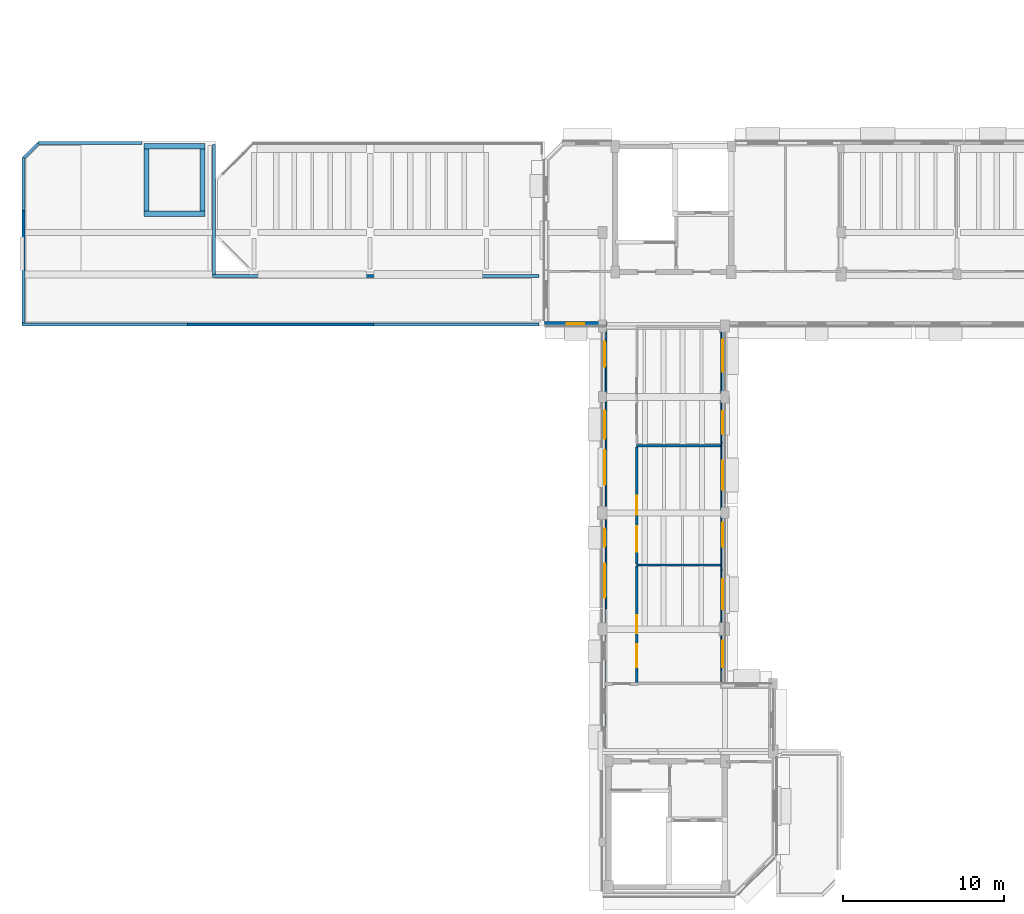
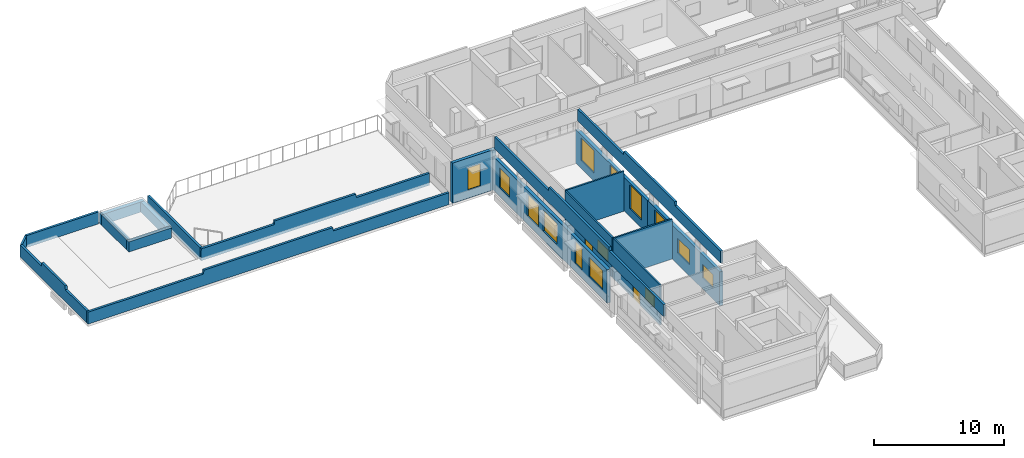
# One storey, part 7 of 17: 20 walls, 14 windows, 2 doors, 16 openings.
"""IFC4 building model written with IfcOpenShell, lengths in metres."""

from ifc_helpers import new_model, si_unit, direction, frame, frame_2d, origin, place, context, subcontext, project, spatial, polyline, rectangle, outline, extrude, material, layer, layer_set, type_object, element, fill, save


model = new_model("IFC4")

# Units and contexts
model_context = context("Model", 3, precision=1e-05, world=origin(), true_north=direction((0.0, 1.0)))
body_context = subcontext(model_context, "Body", "Model", "MODEL_VIEW")
ifc_project = project(units=[si_unit("LENGTHUNIT", "METRE"), si_unit("AREAUNIT", "SQUARE_METRE"), si_unit("VOLUMEUNIT", "CUBIC_METRE"), si_unit("PLANEANGLEUNIT", "RADIAN"), si_unit("MASSUNIT", "GRAM", prefix="KILO")], contexts=[model_context])

# Site, building, storey
site_placement = place(None, origin())
site = spatial("IfcSite", under=ifc_project, at=site_placement, CompositionType="ELEMENT")
building_placement = place(site_placement, origin())
building = spatial("IfcBuilding", under=site, at=building_placement, Name="Kelanivale Promenade Academy", CompositionType="ELEMENT")
storey_placement = place(building_placement, frame((0.0, 0.0, 20.199951171875)))
storey = spatial("IfcBuildingStorey", under=building, at=storey_placement, Name="L05", CompositionType="ELEMENT", Elevation=20.199951171875)

# Walls
ifc_material_1 = material(Name="Concrete C40/50", Category="concrete")
ifc_layer_1 = layer(ifc_material_1, 0.330078125)
ifc_layer_set_1 = layer_set([ifc_layer_1], Name="Concrete C40/50")
wall_type_1 = type_object("IfcWallType", Name="CW-S1 Wall 330mm", PredefinedType="SHEAR", material=ifc_layer_set_1)
for number, where, z_axis, x_axis, name in (
    (1, (50.7548828125, 75.360107421875, 0.0), (0.0, 0.0, 1.0), (1.0, 0.0, 0.0), "CORE-4 lift overrun shaft wall S"),
    (2, (50.7548828125, 79.550048828125, 0.0), (0.0, 0.0, 1.0), (1.0, 0.0, 0.0), "CORE-4 lift overrun shaft wall N"),
):
    element("IfcWall", number, at=place(storey_placement, frame(where, z_axis=z_axis, x_axis=x_axis)), inside=storey, type_object=wall_type_1, Name=name, PredefinedType="SHEAR", context=body_context, shape_type="SweptSolid", body=[
        extrude(rectangle(XDim=3.81005859375, YDim=0.330078125, at=frame_2d((1.905029296875, 0.0))), origin(), (0.0, 0.0, 1.0), 0.9599609375),
    ])
for number, where, z_axis, x_axis, name in (
    (3, (50.919921875, 75.52490234375, 0.0), (0.0, 0.0, 1.0), (0.0, 1.0, 0.0), "CORE-4 lift overrun shaft wall W"),
    (4, (54.39990234375, 75.52490234375, 0.0), (0.0, 0.0, 1.0), (0.0, 1.0, 0.0), "CORE-4 lift overrun shaft wall E"),
):
    element("IfcWall", number, at=place(storey_placement, frame(where, z_axis=z_axis, x_axis=x_axis)), inside=storey, type_object=wall_type_1, Name=name, PredefinedType="SHEAR", context=body_context, shape_type="SweptSolid", body=[
        extrude(rectangle(XDim=3.860107421875, YDim=0.330078125, at=frame_2d((1.93017578125, 0.0))), origin(), (0.0, 0.0, 1.0), 0.9599609375),
    ])

# Wall, openings, windows
ifc_material_2 = material(Name="Insulated ivory stucco masonry wall 280 mm", Category="masonry")
ifc_layer_2 = layer(ifc_material_2, 0.280029296875)
ifc_layer_set_2 = layer_set([ifc_layer_2], Name="Insulated ivory stucco masonry wall 280 mm")
wall_type_2 = type_object("IfcWallType", Name="EW-02 Wall 280mm", PredefinedType="SOLIDWALL", material=ifc_layer_set_2)
wall_1_placement = place(storey_placement, frame((86.659912109375, 46.199951171875, 0.0), z_axis=(0.0, 0.0, 1.0), x_axis=(0.0, 1.0, 0.0)))
wall_1 = element("IfcWall", 5, at=wall_1_placement, inside=storey, type_object=wall_type_2, Name="L05 exterior facade wall EW-L05-ORT-0559", PredefinedType="SOLIDWALL", context=body_context, shape_type="SweptSolid", body=[
    extrude(rectangle(XDim=11.10009765625, YDim=0.280029296875, at=frame_2d((5.550048828125, 0.0))), origin(), (0.0, 0.0, 1.0), 3.205078125),
])
opening_1_placement = place(wall_1_placement, frame((1.02490234375, 0.0, 1.050048828125)))
opening_1 = element("IfcOpeningElement", 6, at=opening_1_placement, cuts=wall_1, Name="Opening WT-35", PredefinedType="OPENING", context=body_context, shape_type="SweptSolid", body=[
    extrude(rectangle(XDim=1.64990234375, YDim=1.25, at=frame_2d((0.824951171875, 0.625))), frame((0.0, 0.14990234375, 0.0), z_axis=(0.0, -1.0, 0.0), x_axis=(1.0, 0.0, 0.0)), (0.0, 0.0, 1.0), 0.300048828125),
])
opening_2_placement = place(wall_1_placement, frame((4.625, 0.0, 1.050048828125)))
opening_2 = element("IfcOpeningElement", 7, at=opening_2_placement, cuts=wall_1, Name="Opening WT-36", PredefinedType="OPENING", context=body_context, shape_type="SweptSolid", body=[
    extrude(rectangle(XDim=1.85009765625, YDim=1.39990234375, at=frame_2d((0.925048828125, 0.699951171875))), frame((0.0, 0.14990234375, 0.0), z_axis=(0.0, -1.0, 0.0), x_axis=(1.0, 0.0, 0.0)), (0.0, 0.0, 1.0), 0.300048828125),
])
opening_3_placement = place(wall_1_placement, frame((8.5, 0.0, 0.75)))
opening_3 = element("IfcOpeningElement", 8, at=opening_3_placement, cuts=wall_1, Name="Opening WT-11", PredefinedType="OPENING", context=body_context, shape_type="SweptSolid", body=[
    extrude(rectangle(XDim=1.5, YDim=2.199951171875, at=frame_2d((0.75, 1.10009765625))), frame((0.0, 0.14990234375, 0.0), z_axis=(0.0, -1.0, 0.0), x_axis=(1.0, 0.0, 0.0)), (0.0, 0.0, 1.0), 0.300048828125),
])
ifc_material_3 = material(Name="Bronze anodised aluminium frame with low-E laminated glass", Category="aluminium")
window_type_1 = type_object("IfcWindowType", Name="WT-11 Window 1500x2200", PartitioningType="SINGLE_PANEL", PredefinedType="WINDOW", material=ifc_material_3)
window_1_placement = place(opening_3_placement, origin())
window_1 = element("IfcWindow", 9, at=window_1_placement, inside=storey, type_object=window_type_1, Name="Window WT-11", OverallHeight=2.199951171875, OverallWidth=1.5, PartitioningType="SINGLE_PANEL", PredefinedType="WINDOW", context=body_context, shape_type="SweptSolid", body=[
    extrude(rectangle(XDim=1.5, YDim=2.199951171875, at=frame_2d((0.75, 1.10009765625))), frame((0.0, 0.030029296875, 0.0), z_axis=(0.0, -1.0, 0.0), x_axis=(1.0, 0.0, 0.0)), (0.0, 0.0, 1.0), 0.06005859375),
])
fill(opening_3, window_1)
window_type_2 = type_object("IfcWindowType", Name="WT-35 Window 1650x1250", PartitioningType="SINGLE_PANEL", PredefinedType="WINDOW", material=ifc_material_3)
window_2_placement = place(opening_1_placement, origin())
window_2 = element("IfcWindow", 10, at=window_2_placement, inside=storey, type_object=window_type_2, Name="Window WT-35", OverallHeight=1.25, OverallWidth=1.64990234375, PartitioningType="SINGLE_PANEL", PredefinedType="WINDOW", context=body_context, shape_type="SweptSolid", body=[
    extrude(rectangle(XDim=1.64990234375, YDim=1.25, at=frame_2d((0.824951171875, 0.625))), frame((0.0, 0.030029296875, 0.0), z_axis=(0.0, -1.0, 0.0), x_axis=(1.0, 0.0, 0.0)), (0.0, 0.0, 1.0), 0.06005859375),
])
fill(opening_1, window_2)
window_type_3 = type_object("IfcWindowType", Name="WT-36 Window 1850x1400", PartitioningType="SINGLE_PANEL", PredefinedType="WINDOW", material=ifc_material_3)
window_3_placement = place(opening_2_placement, origin())
window_3 = element("IfcWindow", 11, at=window_3_placement, inside=storey, type_object=window_type_3, Name="Window WT-36", OverallHeight=1.39990234375, OverallWidth=1.85009765625, PartitioningType="SINGLE_PANEL", PredefinedType="WINDOW", context=body_context, shape_type="SweptSolid", body=[
    extrude(rectangle(XDim=1.85009765625, YDim=1.39990234375, at=frame_2d((0.925048828125, 0.699951171875))), frame((0.0, 0.030029296875, 0.0), z_axis=(0.0, -1.0, 0.0), x_axis=(1.0, 0.0, 0.0)), (0.0, 0.0, 1.0), 0.06005859375),
])
fill(opening_2, window_3)

wall_2_placement = place(storey_placement, frame((86.659912109375, 57.300048828125, 0.0), z_axis=(0.0, 0.0, 1.0), x_axis=(0.0, 1.0, 0.0)))
wall_2 = element("IfcWall", 12, at=wall_2_placement, inside=storey, type_object=wall_type_2, Name="L05 exterior facade wall EW-L05-ORT-0560", PredefinedType="SOLIDWALL", context=body_context, shape_type="SweptSolid", body=[
    extrude(rectangle(XDim=11.099853515625, YDim=0.280029296875, at=frame_2d((5.5498046875, 0.0))), origin(), (0.0, 0.0, 1.0), 3.155029296875),
])
opening_4_placement = place(wall_2_placement, frame((0.949951171875, 0.0, 0.75)))
opening_4 = element("IfcOpeningElement", 13, at=opening_4_placement, cuts=wall_2, Name="Opening WT-12", PredefinedType="OPENING", context=body_context, shape_type="SweptSolid", body=[
    extrude(rectangle(XDim=1.800048828125, YDim=2.25, at=frame_2d((0.89990234375, 1.125))), frame((0.0, 0.14990234375, 0.0), z_axis=(0.0, -1.0, 0.0), x_axis=(1.0, 0.0, 0.0)), (0.0, 0.0, 1.0), 0.300048828125),
])
opening_5_placement = place(wall_2_placement, frame((4.39990234375, 0.0, 0.64990234375)))
opening_5 = element("IfcOpeningElement", 14, at=opening_5_placement, cuts=wall_2, Name="Opening WT-13", PredefinedType="OPENING", context=body_context, shape_type="SweptSolid", body=[
    extrude(rectangle(XDim=1.39990234375, YDim=2.39990234375, at=frame_2d((0.699951171875, 1.199951171875))), frame((0.0, 0.14990234375, 0.0), z_axis=(0.0, -1.0, 0.0), x_axis=(1.0, 0.0, 0.0)), (0.0, 0.0, 1.0), 0.300048828125),
])
opening_6_placement = place(wall_2_placement, frame((8.25, 0.0, 0.75)))
opening_6 = element("IfcOpeningElement", 15, at=opening_6_placement, cuts=wall_2, Name="Opening WT-14", PredefinedType="OPENING", context=body_context, shape_type="SweptSolid", body=[
    extrude(rectangle(XDim=2.0, YDim=2.10009765625, at=frame_2d((1.0, 1.050048828125))), frame((0.0, 0.14990234375, 0.0), z_axis=(0.0, -1.0, 0.0), x_axis=(1.0, 0.0, 0.0)), (0.0, 0.0, 1.0), 0.300048828125),
])
window_type_4 = type_object("IfcWindowType", Name="WT-12 Window 1800x2250", PartitioningType="SINGLE_PANEL", PredefinedType="WINDOW", material=ifc_material_3)
window_4_placement = place(opening_4_placement, origin())
window_4 = element("IfcWindow", 16, at=window_4_placement, inside=storey, type_object=window_type_4, Name="Window WT-12", OverallHeight=2.25, OverallWidth=1.800048828125, PartitioningType="SINGLE_PANEL", PredefinedType="WINDOW", context=body_context, shape_type="SweptSolid", body=[
    extrude(rectangle(XDim=1.800048828125, YDim=2.25, at=frame_2d((0.89990234375, 1.125))), frame((0.0, 0.030029296875, 0.0), z_axis=(0.0, -1.0, 0.0), x_axis=(1.0, 0.0, 0.0)), (0.0, 0.0, 1.0), 0.06005859375),
])
fill(opening_4, window_4)
window_type_5 = type_object("IfcWindowType", Name="WT-13 Window 1400x2400", PartitioningType="SINGLE_PANEL", PredefinedType="WINDOW", material=ifc_material_3)
window_5_placement = place(opening_5_placement, origin())
window_5 = element("IfcWindow", 17, at=window_5_placement, inside=storey, type_object=window_type_5, Name="Window WT-13", OverallHeight=2.39990234375, OverallWidth=1.39990234375, PartitioningType="SINGLE_PANEL", PredefinedType="WINDOW", context=body_context, shape_type="SweptSolid", body=[
    extrude(rectangle(XDim=1.39990234375, YDim=2.39990234375, at=frame_2d((0.699951171875, 1.199951171875))), frame((0.0, 0.030029296875, 0.0), z_axis=(0.0, -1.0, 0.0), x_axis=(1.0, 0.0, 0.0)), (0.0, 0.0, 1.0), 0.06005859375),
])
fill(opening_5, window_5)
window_type_6 = type_object("IfcWindowType", Name="WT-14 Window 2000x2100", PartitioningType="SINGLE_PANEL", PredefinedType="WINDOW", material=ifc_material_3)
window_6_placement = place(opening_6_placement, origin())
window_6 = element("IfcWindow", 18, at=window_6_placement, inside=storey, type_object=window_type_6, Name="Window WT-14", OverallHeight=2.10009765625, OverallWidth=2.0, PartitioningType="SINGLE_PANEL", PredefinedType="WINDOW", context=body_context, shape_type="SweptSolid", body=[
    extrude(rectangle(XDim=2.0, YDim=2.10009765625, at=frame_2d((1.0, 1.050048828125))), frame((0.0, 0.030029296875, 0.0), z_axis=(0.0, -1.0, 0.0), x_axis=(1.0, 0.0, 0.0)), (0.0, 0.0, 1.0), 0.06005859375),
])
fill(opening_6, window_6)

# Wall, opening, window
wall_3_placement = place(storey_placement, frame((75.60009765625, 68.5400390625, 0.0), z_axis=(0.0, 0.0, 1.0), x_axis=(1.0, 0.0, 0.0)))
wall_3 = element("IfcWall", 19, at=wall_3_placement, inside=storey, type_object=wall_type_2, Name="L05 exterior facade wall EW-L05-ORT-0589", PredefinedType="SOLIDWALL", context=body_context, shape_type="SweptSolid", body=[
    extrude(rectangle(XDim=3.8798828125, YDim=0.280029296875, at=frame_2d((1.93994140625, 0.0))), origin(), (0.0, 0.0, 1.0), 3.780029296875),
])
opening_7_placement = place(wall_3_placement, frame((1.389892578125, 0.0, 0.75)))
opening_7 = element("IfcOpeningElement", 20, at=opening_7_placement, cuts=wall_3, Name="Opening WT-17", PredefinedType="OPENING", context=body_context, shape_type="SweptSolid", body=[
    extrude(rectangle(XDim=1.10009765625, YDim=2.10009765625, at=frame_2d((0.550048828125, 1.050048828125))), frame((0.0, 0.14990234375, 0.0), z_axis=(0.0, -1.0, 0.0), x_axis=(1.0, 0.0, 0.0)), (0.0, 0.0, 1.0), 0.300048828125),
])
window_type_7 = type_object("IfcWindowType", Name="WT-17 Window 1100x2100", PartitioningType="SINGLE_PANEL", PredefinedType="WINDOW", material=ifc_material_3)
window_7_placement = place(opening_7_placement, origin())
window_7 = element("IfcWindow", 21, at=window_7_placement, inside=storey, type_object=window_type_7, Name="Window WT-17", OverallHeight=2.10009765625, OverallWidth=1.10009765625, PartitioningType="SINGLE_PANEL", PredefinedType="WINDOW", context=body_context, shape_type="SweptSolid", body=[
    extrude(rectangle(XDim=1.10009765625, YDim=2.10009765625, at=frame_2d((0.550048828125, 1.050048828125))), frame((0.0, 0.030029296875, 0.0), z_axis=(0.0, -1.0, 0.0), x_axis=(1.0, 0.0, 0.0)), (0.0, 0.0, 1.0), 0.06005859375),
])
fill(opening_7, window_7)

# Wall, openings, windows
wall_4_placement = place(storey_placement, frame((79.340087890625, 68.39990234375, 0.0), z_axis=(0.0, 0.0, 1.0), x_axis=(0.0, -1.0, 0.0)))
wall_4 = element("IfcWall", 22, at=wall_4_placement, inside=storey, type_object=wall_type_2, Name="L05 exterior facade wall EW-L05-ORT-0590", PredefinedType="SOLIDWALL", context=body_context, shape_type="SweptSolid", body=[
    extrude(rectangle(XDim=17.559814453125, YDim=0.280029296875, at=frame_2d((8.77978515625, 0.0))), origin(), (0.0, 0.0, 1.0), 3.155029296875),
])
opening_8_placement = place(wall_4_placement, frame((0.98095703125, 0.0, 0.85009765625)))
opening_8 = element("IfcOpeningElement", 23, at=opening_8_placement, cuts=wall_4, Name="Opening WT-31", PredefinedType="OPENING", context=body_context, shape_type="SweptSolid", body=[
    extrude(rectangle(XDim=1.550048828125, YDim=1.85009765625, at=frame_2d((0.77490234375, 0.925048828125))), frame((0.0, 0.14990234375, 0.0), z_axis=(0.0, -1.0, 0.0), x_axis=(1.0, 0.0, 0.0)), (0.0, 0.0, 1.0), 0.300048828125),
])
opening_9_placement = place(wall_4_placement, frame((5.242919921875, 0.0, 0.75)))
opening_9 = element("IfcOpeningElement", 24, at=opening_9_placement, cuts=wall_4, Name="Opening WT-32", PredefinedType="OPENING", context=body_context, shape_type="SweptSolid", body=[
    extrude(rectangle(XDim=1.75, YDim=2.050048828125, at=frame_2d((0.875, 1.02490234375))), frame((0.0, 0.14990234375, 0.0), z_axis=(0.0, -1.0, 0.0), x_axis=(1.0, 0.0, 0.0)), (0.0, 0.0, 1.0), 0.300048828125),
])
opening_10_placement = place(wall_4_placement, frame((7.705078125, 0.0, 0.85009765625)))
opening_10 = element("IfcOpeningElement", 25, at=opening_10_placement, cuts=wall_4, Name="Opening WT-33", PredefinedType="OPENING", context=body_context, shape_type="SweptSolid", body=[
    extrude(rectangle(XDim=2.14990234375, YDim=1.949951171875, at=frame_2d((1.074951171875, 0.97509765625))), frame((0.0, 0.14990234375, 0.0), z_axis=(0.0, -1.0, 0.0), x_axis=(1.0, 0.0, 0.0)), (0.0, 0.0, 1.0), 0.300048828125),
])
opening_11_placement = place(wall_4_placement, frame((12.592041015625, 0.0, 0.75)))
opening_11 = element("IfcOpeningElement", 26, at=opening_11_placement, cuts=wall_4, Name="Opening WT-17", PredefinedType="OPENING", context=body_context, shape_type="SweptSolid", body=[
    extrude(rectangle(XDim=1.10009765625, YDim=2.10009765625, at=frame_2d((0.550048828125, 1.050048828125))), frame((0.0, 0.14990234375, 0.0), z_axis=(0.0, -1.0, 0.0), x_axis=(1.0, 0.0, 0.0)), (0.0, 0.0, 1.0), 0.300048828125),
])
opening_12_placement = place(wall_4_placement, frame((14.75390625, 0.0, 0.85009765625)))
opening_12 = element("IfcOpeningElement", 27, at=opening_12_placement, cuts=wall_4, Name="Opening WT-02", PredefinedType="OPENING", context=body_context, shape_type="SweptSolid", body=[
    extrude(rectangle(XDim=2.10009765625, YDim=1.800048828125, at=frame_2d((1.050048828125, 0.89990234375))), frame((0.0, 0.14990234375, 0.0), z_axis=(0.0, -1.0, 0.0), x_axis=(1.0, 0.0, 0.0)), (0.0, 0.0, 1.0), 0.300048828125),
])
window_type_8 = type_object("IfcWindowType", Name="WT-02 Window 2100x1800", PartitioningType="SINGLE_PANEL", PredefinedType="WINDOW", material=ifc_material_3)
window_8_placement = place(opening_12_placement, origin())
window_8 = element("IfcWindow", 28, at=window_8_placement, inside=storey, type_object=window_type_8, Name="Window WT-02", OverallHeight=1.800048828125, OverallWidth=2.10009765625, PartitioningType="SINGLE_PANEL", PredefinedType="WINDOW", context=body_context, shape_type="SweptSolid", body=[
    extrude(rectangle(XDim=2.10009765625, YDim=1.800048828125, at=frame_2d((1.050048828125, 0.89990234375))), frame((0.0, 0.030029296875, 0.0), z_axis=(0.0, -1.0, 0.0), x_axis=(1.0, 0.0, 0.0)), (0.0, 0.0, 1.0), 0.06005859375),
])
fill(opening_12, window_8)
window_9_placement = place(opening_11_placement, origin())
window_9 = element("IfcWindow", 29, at=window_9_placement, inside=storey, type_object=window_type_7, Name="Window WT-17", OverallHeight=2.10009765625, OverallWidth=1.10009765625, PartitioningType="SINGLE_PANEL", PredefinedType="WINDOW", context=body_context, shape_type="SweptSolid", body=[
    extrude(rectangle(XDim=1.10009765625, YDim=2.10009765625, at=frame_2d((0.550048828125, 1.050048828125))), frame((0.0, 0.030029296875, 0.0), z_axis=(0.0, -1.0, 0.0), x_axis=(1.0, 0.0, 0.0)), (0.0, 0.0, 1.0), 0.06005859375),
])
fill(opening_11, window_9)
window_type_9 = type_object("IfcWindowType", Name="WT-31 Window 1550x1850", PartitioningType="SINGLE_PANEL", PredefinedType="WINDOW", material=ifc_material_3)
window_10_placement = place(opening_8_placement, origin())
window_10 = element("IfcWindow", 30, at=window_10_placement, inside=storey, type_object=window_type_9, Name="Window WT-31", OverallHeight=1.85009765625, OverallWidth=1.550048828125, PartitioningType="SINGLE_PANEL", PredefinedType="WINDOW", context=body_context, shape_type="SweptSolid", body=[
    extrude(rectangle(XDim=1.550048828125, YDim=1.85009765625, at=frame_2d((0.77490234375, 0.925048828125))), frame((0.0, 0.030029296875, 0.0), z_axis=(0.0, -1.0, 0.0), x_axis=(1.0, 0.0, 0.0)), (0.0, 0.0, 1.0), 0.06005859375),
])
fill(opening_8, window_10)
window_type_10 = type_object("IfcWindowType", Name="WT-32 Window 1750x2050", PartitioningType="SINGLE_PANEL", PredefinedType="WINDOW", material=ifc_material_3)
window_11_placement = place(opening_9_placement, origin())
window_11 = element("IfcWindow", 31, at=window_11_placement, inside=storey, type_object=window_type_10, Name="Window WT-32", OverallHeight=2.050048828125, OverallWidth=1.75, PartitioningType="SINGLE_PANEL", PredefinedType="WINDOW", context=body_context, shape_type="SweptSolid", body=[
    extrude(rectangle(XDim=1.75, YDim=2.050048828125, at=frame_2d((0.875, 1.02490234375))), frame((0.0, 0.030029296875, 0.0), z_axis=(0.0, -1.0, 0.0), x_axis=(1.0, 0.0, 0.0)), (0.0, 0.0, 1.0), 0.06005859375),
])
fill(opening_9, window_11)
window_type_11 = type_object("IfcWindowType", Name="WT-33 Window 2150x1950", PartitioningType="SINGLE_PANEL", PredefinedType="WINDOW", material=ifc_material_3)
window_12_placement = place(opening_10_placement, origin())
window_12 = element("IfcWindow", 32, at=window_12_placement, inside=storey, type_object=window_type_11, Name="Window WT-33", OverallHeight=1.949951171875, OverallWidth=2.14990234375, PartitioningType="SINGLE_PANEL", PredefinedType="WINDOW", context=body_context, shape_type="SweptSolid", body=[
    extrude(rectangle(XDim=2.14990234375, YDim=1.949951171875, at=frame_2d((1.074951171875, 0.97509765625))), frame((0.0, 0.030029296875, 0.0), z_axis=(0.0, -1.0, 0.0), x_axis=(1.0, 0.0, 0.0)), (0.0, 0.0, 1.0), 0.06005859375),
])
fill(opening_10, window_12)

# Wall
ifc_material_4 = material(Name="Acoustic double-stud gypsum board partition 140 mm", Category="masonry")
ifc_layer_3 = layer(ifc_material_4, 0.139892578125)
ifc_layer_set_3 = layer_set([ifc_layer_3], Name="Acoustic double-stud gypsum board partition 140 mm")
wall_type_3 = type_object("IfcWallType", Name="IW-04 Wall 140mm", PredefinedType="PARTITIONING", material=ifc_layer_set_3)
wall_5_placement = place(storey_placement, frame((86.52197265625, 53.570068359375, 0.0), z_axis=(0.0, 0.0, 1.0), x_axis=(-1.0, 0.0, 0.0)))
element("IfcWall", 33, at=wall_5_placement, inside=storey, type_object=wall_type_3, Name="L05 partition Sixth Form Classroom", PredefinedType="PARTITIONING", context=body_context, shape_type="SweptSolid", body=[
    extrude(rectangle(XDim=5.19189453125, YDim=0.139892578125, at=frame_2d((2.595947265625, 0.0))), origin(), (0.0, 0.0, 1.0), 3.755126953125),
])

# Wall, openings, door, window
wall_6_placement = place(storey_placement, frame((81.330078125, 53.501953125, 0.0), z_axis=(0.0, 0.0, 1.0), x_axis=(0.0, -1.0, 0.0)))
wall_6 = element("IfcWall", 34, at=wall_6_placement, inside=storey, type_object=wall_type_3, Name="L05 partition Sixth Form Classroom", PredefinedType="PARTITIONING", context=body_context, shape_type="SweptSolid", body=[
    extrude(rectangle(XDim=7.2138671875, YDim=0.139892578125, at=frame_2d((3.60693359375, 0.0))), origin(), (0.0, 0.0, 1.0), 3.755126953125),
])
opening_13_placement = place(wall_6_placement, frame((3.056884765625, 0.0, 0.0)))
opening_13 = element("IfcOpeningElement", 35, at=opening_13_placement, cuts=wall_6, Name="Opening ID-L05-199", PredefinedType="OPENING", context=body_context, shape_type="SweptSolid", body=[
    extrude(rectangle(XDim=1.10009765625, YDim=2.10009765625, at=frame_2d((0.550048828125, 1.050048828125))), frame((0.0, 0.080078125, 0.0), z_axis=(0.0, -1.0, 0.0), x_axis=(1.0, 0.0, 0.0)), (0.0, 0.0, 1.0), 0.159912109375),
])
opening_14_placement = place(wall_6_placement, frame((4.85693359375, 0.0, 1.050048828125)))
opening_14 = element("IfcOpeningElement", 36, at=opening_14_placement, cuts=wall_6, Name="Opening WT-I03", PredefinedType="OPENING", context=body_context, shape_type="SweptSolid", body=[
    extrude(rectangle(XDim=1.39990234375, YDim=1.050048828125, at=frame_2d((0.699951171875, 0.52490234375))), frame((0.0, 0.080078125, 0.0), z_axis=(0.0, -1.0, 0.0), x_axis=(1.0, 0.0, 0.0)), (0.0, 0.0, 1.0), 0.159912109375),
])
ifc_material_5 = material(Name="Solid-core tropical teak timber", Category="wood")
door_type_1 = type_object("IfcDoorType", Name="DT-I03 Door 1100x2100", OperationType="NOTDEFINED", PredefinedType="DOOR", material=ifc_material_5)
door_1_placement = place(opening_13_placement, origin())
door_1 = element("IfcDoor", 37, at=door_1_placement, inside=storey, type_object=door_type_1, Name="Sixth Form Classroom door ID-L05-199", OperationType="SINGLE_SWING_RIGHT", OverallHeight=2.10009765625, OverallWidth=1.10009765625, PredefinedType="DOOR", context=body_context, shape_type="SweptSolid", body=[
    extrude(rectangle(XDim=1.10009765625, YDim=2.10009765625, at=frame_2d((0.550048828125, 1.050048828125))), frame((0.0, 0.02490234375, 0.0), z_axis=(0.0, -1.0, 0.0), x_axis=(1.0, 0.0, 0.0)), (0.0, 0.0, 1.0), 0.050048828125),
])
fill(opening_13, door_1)
window_type_12 = type_object("IfcWindowType", Name="WT-I03 Window 1400x1050", PartitioningType="SINGLE_PANEL", PredefinedType="WINDOW", material=ifc_material_3)
window_13_placement = place(opening_14_placement, origin())
window_13 = element("IfcWindow", 38, at=window_13_placement, inside=storey, type_object=window_type_12, Name="Interior observation window WT-I03", OverallHeight=1.050048828125, OverallWidth=1.39990234375, PartitioningType="SINGLE_PANEL", PredefinedType="WINDOW", context=body_context, shape_type="SweptSolid", body=[
    extrude(rectangle(XDim=1.39990234375, YDim=1.050048828125, at=frame_2d((0.699951171875, 0.52490234375))), frame((0.0, 0.030029296875, 0.0), z_axis=(0.0, -1.0, 0.0), x_axis=(1.0, 0.0, 0.0)), (0.0, 0.0, 1.0), 0.06005859375),
])
fill(opening_14, window_13)

# Wall
wall_7_placement = place(storey_placement, frame((86.52197265625, 60.969970703125, 0.0), z_axis=(0.0, 0.0, 1.0), x_axis=(-1.0, 0.0, 0.0)))
element("IfcWall", 39, at=wall_7_placement, inside=storey, type_object=wall_type_3, Name="L05 partition Sixth Form Study Commons", PredefinedType="PARTITIONING", context=body_context, shape_type="SweptSolid", body=[
    extrude(rectangle(XDim=5.19189453125, YDim=0.139892578125, at=frame_2d((2.595947265625, 0.0))), origin(), (0.0, 0.0, 1.0), 3.755126953125),
])

# Wall, openings, door, window
wall_8_placement = place(storey_placement, frame((81.330078125, 60.902099609375, 0.0), z_axis=(0.0, 0.0, 1.0), x_axis=(0.0, -1.0, 0.0)))
wall_8 = element("IfcWall", 40, at=wall_8_placement, inside=storey, type_object=wall_type_3, Name="L05 partition Sixth Form Study Commons", PredefinedType="PARTITIONING", context=body_context, shape_type="SweptSolid", body=[
    extrude(rectangle(XDim=7.26416015625, YDim=0.139892578125, at=frame_2d((3.632080078125, 0.0))), origin(), (0.0, 0.0, 1.0), 3.755126953125),
])
opening_15_placement = place(wall_8_placement, frame((3.0419921875, 0.0, 0.0)))
opening_15 = element("IfcOpeningElement", 41, at=opening_15_placement, cuts=wall_8, Name="Opening ID-L05-200", PredefinedType="OPENING", context=body_context, shape_type="SweptSolid", body=[
    extrude(rectangle(XDim=1.179931640625, YDim=2.199951171875, at=frame_2d((0.58984375, 1.10009765625))), frame((0.0, 0.080078125, 0.0), z_axis=(0.0, -1.0, 0.0), x_axis=(1.0, 0.0, 0.0)), (0.0, 0.0, 1.0), 0.159912109375),
])
opening_16_placement = place(wall_8_placement, frame((4.922119140625, 0.0, 1.050048828125)))
opening_16 = element("IfcOpeningElement", 42, at=opening_16_placement, cuts=wall_8, Name="Opening WT-I01", PredefinedType="OPENING", context=body_context, shape_type="SweptSolid", body=[
    extrude(rectangle(XDim=1.60009765625, YDim=1.10009765625, at=frame_2d((0.800048828125, 0.550048828125))), frame((0.0, 0.080078125, 0.0), z_axis=(0.0, -1.0, 0.0), x_axis=(1.0, 0.0, 0.0)), (0.0, 0.0, 1.0), 0.159912109375),
])
door_type_2 = type_object("IfcDoorType", Name="DT-I18 Door 1180x2200", OperationType="NOTDEFINED", PredefinedType="DOOR", material=ifc_material_5)
door_2_placement = place(opening_15_placement, origin())
door_2 = element("IfcDoor", 43, at=door_2_placement, inside=storey, type_object=door_type_2, Name="Sixth Form Study Commons door ID-L05-200", OperationType="SINGLE_SWING_LEFT", OverallHeight=2.199951171875, OverallWidth=1.179931640625, PredefinedType="DOOR", context=body_context, shape_type="SweptSolid", body=[
    extrude(rectangle(XDim=1.179931640625, YDim=2.199951171875, at=frame_2d((0.58984375, 1.10009765625))), frame((0.0, 0.02490234375, 0.0), z_axis=(0.0, -1.0, 0.0), x_axis=(1.0, 0.0, 0.0)), (0.0, 0.0, 1.0), 0.050048828125),
])
fill(opening_15, door_2)
window_type_13 = type_object("IfcWindowType", Name="WT-I01 Window 1600x1100", PartitioningType="SINGLE_PANEL", PredefinedType="WINDOW", material=ifc_material_3)
window_14_placement = place(opening_16_placement, origin())
window_14 = element("IfcWindow", 44, at=window_14_placement, inside=storey, type_object=window_type_13, Name="Interior observation window WT-I01", OverallHeight=1.10009765625, OverallWidth=1.60009765625, PartitioningType="SINGLE_PANEL", PredefinedType="WINDOW", context=body_context, shape_type="SweptSolid", body=[
    extrude(rectangle(XDim=1.60009765625, YDim=1.10009765625, at=frame_2d((0.800048828125, 0.550048828125))), frame((0.0, 0.030029296875, 0.0), z_axis=(0.0, -1.0, 0.0), x_axis=(1.0, 0.0, 0.0)), (0.0, 0.0, 1.0), 0.06005859375),
])
fill(opening_16, window_14)

# Walls
ifc_material_6 = material(Name="Precast concrete C40/50", Category="concrete")
ifc_layer_4 = layer(ifc_material_6, 0.195068359375)
ifc_layer_set_4 = layer_set([ifc_layer_4], Name="Precast concrete C40/50")
wall_type_4 = type_object("IfcWallType", Name="PW-01 Wall 195mm", PredefinedType="PARAPET", material=ifc_layer_set_4)
wall_9_placement = place(storey_placement, frame((75.280029296875, 71.501953125, 0.0), z_axis=(0.0, 0.0, 1.0), x_axis=(-1.0, 0.0, 0.0)))
element("IfcWall", 45, at=wall_9_placement, inside=storey, type_object=wall_type_4, Name="L05 stepped Art Deco roof parapet", PredefinedType="PARAPET", context=body_context, shape_type="SweptSolid", body=[
    extrude(outline(polyline([(0.0, 0.0), (20.275146484375, 0.0), (20.27490234375, 1.1201171875), (13.787109375, 1.1201171875), (13.737060546875, 1.4599609375), (6.5380859375, 1.4599609375), (6.488037109375, 1.1201171875), (0.0, 1.1201171875), (0.0, 0.0)])), frame((0.0, 0.09765625, 0.0), z_axis=(0.0, -1.0, 0.0), x_axis=(1.0, 0.0, 0.0)), (0.0, 0.0, 1.0), 0.195068359375),
])
wall_10_placement = place(storey_placement, frame((55.10205078125, 71.59912109375, 0.0), z_axis=(0.0, 0.0, 1.0), x_axis=(0.0, 1.0, 0.0)))
element("IfcWall", 46, at=wall_10_placement, inside=storey, type_object=wall_type_4, Name="L05 stepped Art Deco roof parapet", PredefinedType="PARAPET", context=body_context, shape_type="SweptSolid", body=[
    extrude(rectangle(XDim=8.054931640625, YDim=0.195068359375, at=frame_2d((4.02734375, 0.0))), origin(), (0.0, 0.0, 1.0), 1.1201171875),
])
wall_11_placement = place(storey_placement, frame((50.635009765625, 79.751953125, 0.0), z_axis=(0.0, 0.0, 1.0), x_axis=(-1.0, 0.0, 0.0)))
element("IfcWall", 47, at=wall_11_placement, inside=storey, type_object=wall_type_4, Name="L05 stepped Art Deco roof parapet", PredefinedType="PARAPET", context=body_context, shape_type="SweptSolid", body=[
    extrude(rectangle(XDim=6.43310546875, YDim=0.195068359375, at=frame_2d((3.216552734375, 0.0))), origin(), (0.0, 0.0, 1.0), 1.1201171875),
])
wall_12_placement = place(storey_placement, frame((43.298095703125, 78.847900390625, 0.0), z_axis=(0.0, 0.0, 1.0), x_axis=(0.0, -1.0, 0.0)))
element("IfcWall", 48, at=wall_12_placement, inside=storey, type_object=wall_type_4, Name="L05 stepped Art Deco roof parapet", PredefinedType="PARAPET", context=body_context, shape_type="SweptSolid", body=[
    extrude(outline(polyline([(0.0, 0.0), (10.251953125, 0.0), (10.251953125, 1.1201171875), (6.970947265625, 1.1201171875), (6.9208984375, 1.4599609375), (3.3310546875, 1.4599609375), (3.281005859375, 1.1201171875), (0.0, 1.1201171875), (0.0, 0.0)])), frame((0.0, 0.09765625, 0.0), z_axis=(0.0, -1.0, 0.0), x_axis=(1.0, 0.0, 0.0)), (0.0, 0.0, 1.0), 0.195068359375),
])
wall_13_placement = place(storey_placement, frame((43.200927734375, 68.498046875, 0.0), z_axis=(0.0, 0.0, 1.0), x_axis=(1.0, 0.0, 0.0)))
element("IfcWall", 49, at=wall_13_placement, inside=storey, type_object=wall_type_4, Name="L05 stepped Art Deco roof parapet", PredefinedType="PARAPET", context=body_context, shape_type="SweptSolid", body=[
    extrude(outline(polyline([(0.0, 0.0), (32.0791015625, 0.0), (32.0791015625, 1.1201171875), (21.81396484375, 1.1201171875), (21.763916015625, 1.4599609375), (10.31494140625, 1.4599609375), (10.264892578125, 1.1201171875), (0.0, 1.1201171875), (0.0, 0.0)])), frame((0.0, 0.09765625, 0.0), z_axis=(0.0, -1.0, 0.0), x_axis=(1.0, 0.0, 0.0)), (0.0, 0.0, 1.0), 0.195068359375),
])
wall_14_placement = place(storey_placement, frame((86.701904296875, 46.198974609375, 4.0), z_axis=(0.0, 0.0, 1.0), x_axis=(0.0, 1.0, 0.0)))
element("IfcWall", 50, at=wall_14_placement, inside=storey, type_object=wall_type_4, Name="RF stepped Art Deco roof parapet", PredefinedType="PARAPET", context=body_context, shape_type="SweptSolid", body=[
    extrude(outline(polyline([(0.0, 0.0), (22.006103515625, 0.0), (22.006103515625, 1.1201171875), (14.964111328125, 1.1201171875), (14.9140625, 1.4599609375), (7.092041015625, 1.4599609375), (7.0419921875, 1.1201171875), (0.0, 1.1201171875), (0.0, 0.0)])), frame((0.0, 0.09765625, 0.0), z_axis=(0.0, -1.0, 0.0), x_axis=(1.0, 0.0, 0.0)), (0.0, 0.0, 1.0), 0.195068359375),
])
wall_15_placement = place(storey_placement, frame((79.298095703125, 68.205078125, 4.0), z_axis=(0.0, 0.0, 1.0), x_axis=(0.0, -1.0, 0.0)))
element("IfcWall", 51, at=wall_15_placement, inside=storey, type_object=wall_type_4, Name="RF stepped Art Deco roof parapet", PredefinedType="PARAPET", context=body_context, shape_type="SweptSolid", body=[
    extrude(outline(polyline([(0.0, 0.0), (26.010009765625, 0.0), (26.010009765625, 1.1201171875), (17.68701171875, 1.1201171875), (17.636962890625, 1.4599609375), (8.373046875, 1.4599609375), (8.322998046875, 1.1201171875), (0.0, 1.1201171875), (0.0, 0.0)])), frame((0.0, 0.09765625, 0.0), z_axis=(0.0, -1.0, 0.0), x_axis=(1.0, 0.0, 0.0)), (0.0, 0.0, 1.0), 0.195068359375),
])
ifc_layer_5 = layer(ifc_material_6, 0.1650390625)
ifc_layer_set_5 = layer_set([ifc_layer_5], Name="Precast concrete C40/50")
wall_type_5 = type_object("IfcWallType", Name="PW-02 Wall 165mm", PredefinedType="PARAPET", material=ifc_layer_set_5)
wall_16_placement = place(storey_placement, frame((44.2119140625, 79.722900390625, 0.0), z_axis=(0.0, 0.0, 1.0), x_axis=(-0.707106781187, -0.707106781187, 0.0)))
element("IfcWall", 52, at=wall_16_placement, inside=storey, type_object=wall_type_5, Name="L05 stepped Art Deco roof parapet", PredefinedType="PARAPET", context=body_context, shape_type="SweptSolid", body=[
    extrude(rectangle(XDim=1.251708984375, YDim=0.1650390625, at=frame_2d((0.6259765625, 0.0))), origin(), (0.0, 0.0, 1.0), 1.1201171875),
])

save(model, "model.ifc")
